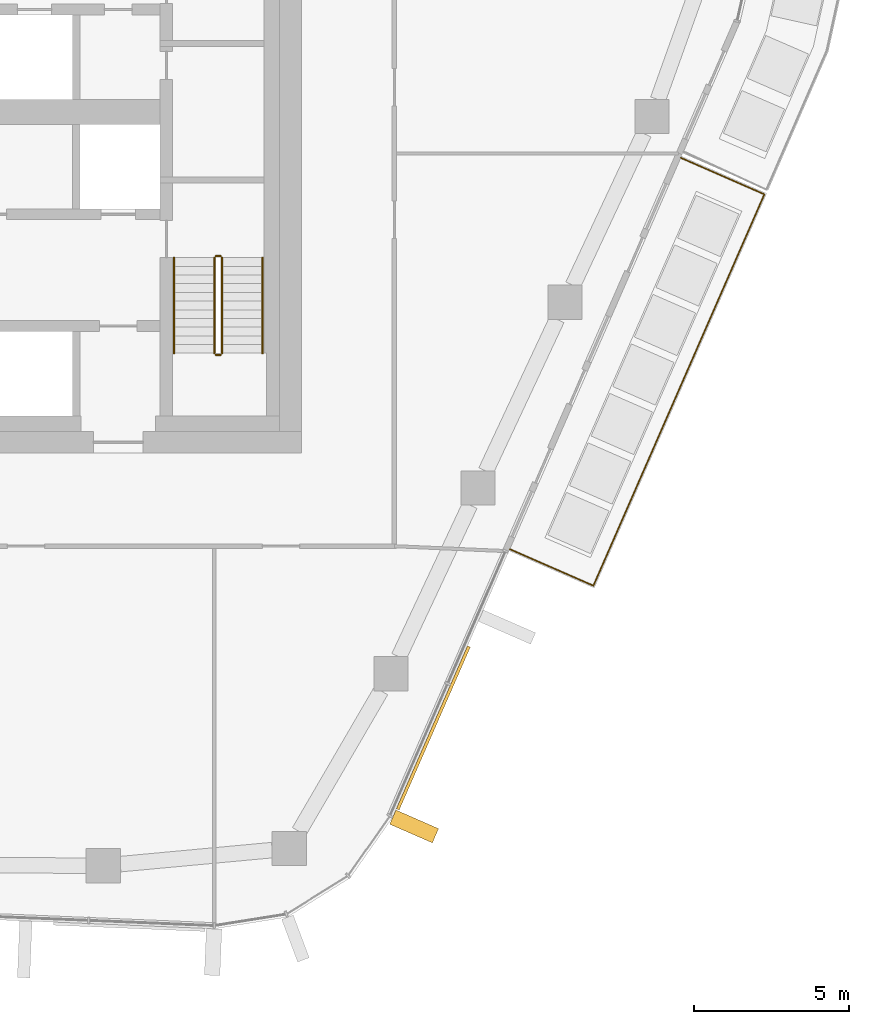
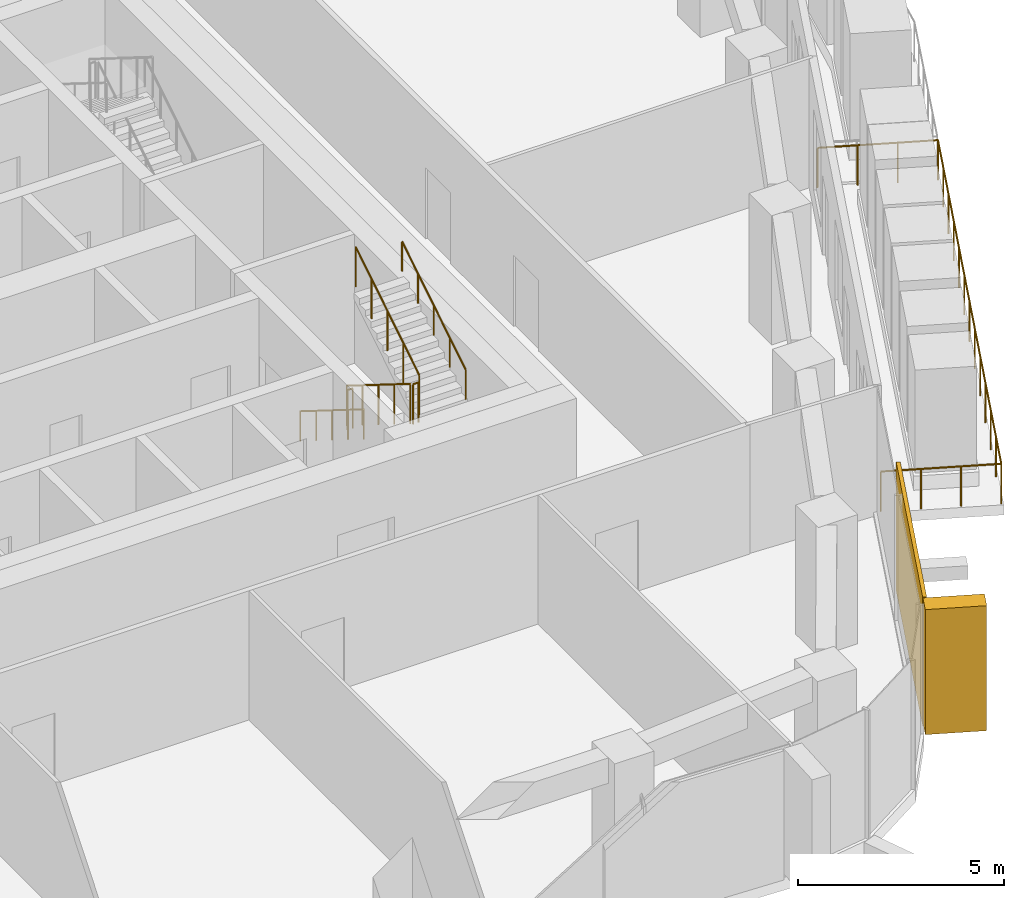
# One storey, part 17 of 20: 7 railings, 2 coverings, 1 element without a shape of its own.
"""IFC4 building model written with IfcOpenShell, lengths in metres."""

from ifc_helpers import new_model, si_unit, direction, frame, origin, origin_2d, place, context, subcontext, project, spatial, rectangle, circle, extrude, material, layer, layer_set, material_profile, profile_set, type_object, element, aggregate, save


model = new_model("IFC4")

# Units and contexts
model_context = context("Model", 3, precision=1e-05, world=origin(), true_north=direction((0.0, 1.0)))
body_context = subcontext(model_context, "Body", "Model", "MODEL_VIEW")
ifc_project = project(units=[si_unit("LENGTHUNIT", "METRE"), si_unit("AREAUNIT", "SQUARE_METRE"), si_unit("VOLUMEUNIT", "CUBIC_METRE"), si_unit("PLANEANGLEUNIT", "RADIAN"), si_unit("MASSUNIT", "GRAM", prefix="KILO")], contexts=[model_context])

# Site, building, storey
site_placement = place(None, origin())
site = spatial("IfcSite", under=ifc_project, at=site_placement, CompositionType="ELEMENT")
building_placement = place(site_placement, origin())
building = spatial("IfcBuilding", under=site, at=building_placement, Name="Dongbaek Canopy Tower", CompositionType="ELEMENT")
storey_placement = place(building_placement, frame((0.0, 0.0, 245.39990234375)))
storey = spatial("IfcBuildingStorey", under=building, at=storey_placement, Name="L51", CompositionType="ELEMENT", Elevation=245.39990234375)

# Railing
ifc_material_1 = material(Name="Stainless steel", Category="steel")
railing_type_1 = type_object("IfcRailingType", Name="Balcony balustrade 1200", PredefinedType="BALUSTRADE", material=ifc_material_1)
railing_1_placement = place(storey_placement, frame((20.7236328125, -14.096923828125, 0.0)))
element("IfcRailing", 1, at=railing_1_placement, inside=storey, type_object=railing_type_1, Name="Balcony guard L51 5", PredefinedType="BALUSTRADE", context=body_context, shape_type="SweptSolid", body=[
    extrude(circle(Radius=0.02392578125, at=origin_2d()), frame((0.0, 0.0, 1.17578125), z_axis=(0.916378260197, -0.400313482458, 0.0), x_axis=(0.400313482458, 0.916378260197, 0.0)), (0.0, 0.0, 1.0), 2.940185546875),
    extrude(circle(Radius=0.02392578125, at=origin_2d()), frame((2.6943359375, -1.177001953125, 1.17578125), z_axis=(0.400292212899, 0.916387551363, 0.0), x_axis=(-0.916387551363, 0.400292212899, 0.0)), (0.0, 0.0, 1.0), 13.766845703125),
    extrude(circle(Radius=0.02392578125, at=origin_2d()), frame((8.205078125, 11.438720703125, 1.17578125), z_axis=(-0.91640871913, 0.40024375011, 0.0), x_axis=(-0.40024375011, -0.91640871913, 0.0)), (0.0, 0.0, 1.0), 2.940185546875),
    extrude(circle(Radius=0.02099609375, at=origin_2d()), origin(), (0.0, 0.0, 1.0), 1.15185546875),
    extrude(circle(Radius=0.02099609375, at=origin_2d()), frame((0.898193359375, -0.392333984375, 0.0)), (0.0, 0.0, 1.0), 1.15185546875),
    extrude(circle(Radius=0.02099609375, at=origin_2d()), frame((1.796142578125, -0.78466796875, 0.0)), (0.0, 0.0, 1.0), 1.15185546875),
    extrude(circle(Radius=0.02099609375, at=origin_2d()), frame((2.6943359375, -1.177001953125, 0.0)), (0.0, 0.0, 1.0), 1.15185546875),
    extrude(circle(Radius=0.02099609375, at=origin_2d()), frame((3.153564453125, -0.125732421875, 0.0)), (0.0, 0.0, 1.0), 1.15185546875),
    extrude(circle(Radius=0.02099609375, at=origin_2d()), frame((3.61279296875, 0.925537109375, 0.0)), (0.0, 0.0, 1.0), 1.15185546875),
    extrude(circle(Radius=0.02099609375, at=origin_2d()), frame((4.072021484375, 1.97705078125, 0.0)), (0.0, 0.0, 1.0), 1.15185546875),
    extrude(circle(Radius=0.02099609375, at=origin_2d()), frame((4.53125, 3.0283203125, 0.0)), (0.0, 0.0, 1.0), 1.15185546875),
    extrude(circle(Radius=0.02099609375, at=origin_2d()), frame((4.990478515625, 4.07958984375, 0.0)), (0.0, 0.0, 1.0), 1.15185546875),
    extrude(circle(Radius=0.02099609375, at=origin_2d()), frame((5.44970703125, 5.130859375, 0.0)), (0.0, 0.0, 1.0), 1.15185546875),
    extrude(circle(Radius=0.02099609375, at=origin_2d()), frame((5.908935546875, 6.18212890625, 0.0)), (0.0, 0.0, 1.0), 1.15185546875),
    extrude(circle(Radius=0.02099609375, at=origin_2d()), frame((6.3681640625, 7.2333984375, 0.0)), (0.0, 0.0, 1.0), 1.15185546875),
    extrude(circle(Radius=0.02099609375, at=origin_2d()), frame((6.827392578125, 8.28466796875, 0.0)), (0.0, 0.0, 1.0), 1.15185546875),
    extrude(circle(Radius=0.02099609375, at=origin_2d()), frame((7.28662109375, 9.336181640625, 0.0)), (0.0, 0.0, 1.0), 1.15185546875),
    extrude(circle(Radius=0.02099609375, at=origin_2d()), frame((7.745849609375, 10.387451171875, 0.0)), (0.0, 0.0, 1.0), 1.15185546875),
    extrude(circle(Radius=0.02099609375, at=origin_2d()), frame((8.205078125, 11.438720703125, 0.0)), (0.0, 0.0, 1.0), 1.15185546875),
    extrude(circle(Radius=0.02099609375, at=origin_2d()), frame((7.306884765625, 11.8310546875, 0.0)), (0.0, 0.0, 1.0), 1.15185546875),
    extrude(circle(Radius=0.02099609375, at=origin_2d()), frame((6.408935546875, 12.22314453125, 0.0)), (0.0, 0.0, 1.0), 1.15185546875),
    extrude(circle(Radius=0.02099609375, at=origin_2d()), frame((5.5107421875, 12.615478515625, 0.0)), (0.0, 0.0, 1.0), 1.15185546875),
])

# Curtain wall, coverings
ifc_material_2 = material(Name="Aluminium 6063-T6 pale anodised", Category="aluminium")
ifc_layer_1 = layer(ifc_material_2, 0.199951171875)
ifc_layer_set_1 = layer_set([ifc_layer_1], Name="CW-1 unitised tower curtain wall")
curtain_wall_type = type_object("IfcCurtainWallType", Name="CW-1 unitised tower curtain wall", PredefinedType="NOTDEFINED", material=ifc_layer_set_1)
curtain_wall_placement = place(storey_placement, origin())
curtain_wall = element("IfcCurtainWall", 2, at=curtain_wall_placement, inside=storey, type_object=curtain_wall_type, Name="CW-1 curtain wall F5.1", PredefinedType="NOTDEFINED")
ifc_material_3 = material(Name="Perforated aluminium 6063-T6 pale metal screen", Category="aluminium")
ifc_layer_2 = layer(ifc_material_3, 0.10009765625)
ifc_layer_set_2 = layer_set([ifc_layer_2], Name="Facet screen FS1 100 pale metal")
covering_type_1 = type_object("IfcCoveringType", Name="Facet screen FS1 100 pale metal", PredefinedType="CLADDING", material=ifc_layer_set_2)
covering_1_placement = place(storey_placement, frame((18.257080078125, -19.858642578125, 0.0), z_axis=(0.0, 0.0, 1.0), x_axis=(0.400294653793, 0.916386485139, 0.0)))
covering_1 = element("IfcCovering", 3, at=covering_1_placement, type_object=covering_type_1, Name="Facet screen L51 F5", PredefinedType="CLADDING", context=body_context, shape_type="SweptSolid", body=[
    extrude(rectangle(XDim=5.734375, YDim=0.10009765625, at=origin_2d()), origin(), (0.0, 0.0, 1.0), 3.820068359375),
])
ifc_material_4 = material(Name="Aluminium 6063-T6 pale metal fin", Category="aluminium")
ifc_material_profile = material_profile(ifc_material_4, rectangle(XDim=1.5, YDim=0.5, at=origin_2d()), Name="Fin FN1 500 x 1500 pale metal")
ifc_profile_set = profile_set([ifc_material_profile], Name="Aluminium 6063-T6 pale metal fin")
covering_type_2 = type_object("IfcCoveringType", Name="Fin FN1 500 x 1500 pale metal", PredefinedType="CLADDING", material=ifc_profile_set)
covering_2_placement = place(storey_placement, frame((17.638427734375, -23.03369140625, 0.1201171875), z_axis=(0.0, 0.0, 1.0), x_axis=(0.9163861515, -0.400295417584, 0.0)))
covering_2 = element("IfcCovering", 4, at=covering_2_placement, type_object=covering_type_2, Name="Fin F5.1.1", PredefinedType="CLADDING", context=body_context, shape_type="SweptSolid", body=[
    extrude(rectangle(XDim=1.5, YDim=0.5, at=origin_2d()), origin(), (0.0, 0.0, 1.0), 3.699951171875),
])
aggregate(curtain_wall, [covering_2, covering_1])

# Railings
ifc_material_5 = material(Name="Stainless steel tube and balusters", Category="steel")
railing_type_2 = type_object("IfcRailingType", Name="Stair guard 1200", PredefinedType="GUARDRAIL", material=ifc_material_5)
railing_2_placement = place(storey_placement, frame((11.199951171875, -4.699951171875, 0.175048828125)))
element("IfcRailing", 5, at=railing_2_placement, inside=storey, type_object=railing_type_2, Name="L51 ST-B stair guard 1", PredefinedType="GUARDRAIL", context=body_context, shape_type="SweptSolid", body=[
    extrude(circle(Radius=0.02392578125, at=origin_2d()), frame((0.0, 0.0, 1.17578125), z_axis=(0.0, -0.847998304005, 0.529998940003), x_axis=(1.0, 0.0, 0.0)), (0.0, 0.0, 1.0), 3.632080078125),
    extrude(circle(Radius=0.02099609375, at=origin_2d()), origin(), (0.0, 0.0, 1.0), 1.15185546875),
    extrude(circle(Radius=0.02099609375, at=origin_2d()), frame((0.0, -0.77001953125, 0.481201171875)), (0.0, 0.0, 1.0), 1.15185546875),
    extrude(circle(Radius=0.02099609375, at=origin_2d()), frame((0.0, -1.5400390625, 0.96240234375)), (0.0, 0.0, 1.0), 1.15185546875),
    extrude(circle(Radius=0.02099609375, at=origin_2d()), frame((0.0, -2.31005859375, 1.44384765625)), (0.0, 0.0, 1.0), 1.15185546875),
    extrude(circle(Radius=0.02099609375, at=origin_2d()), frame((0.0, -3.080078125, 1.925048828125)), (0.0, 0.0, 1.0), 1.15185546875),
])
railing_3_placement = place(storey_placement, frame((11.25, -7.830078125, 2.10009765625)))
element("IfcRailing", 6, at=railing_3_placement, inside=storey, type_object=railing_type_2, Name="L51 ST-B stair guard 2", PredefinedType="GUARDRAIL", context=body_context, shape_type="SweptSolid", body=[
    extrude(circle(Radius=0.02392578125, at=origin_2d()), frame((0.0, 0.0, 1.17578125), z_axis=(1.0, 0.0, 0.0), x_axis=(0.0, 1.0, 0.0)), (0.0, 0.0, 1.0), 0.14990234375),
    extrude(circle(Radius=0.02099609375, at=origin_2d()), origin(), (0.0, 0.0, 1.0), 1.15185546875),
    extrude(circle(Radius=0.02099609375, at=origin_2d()), frame((0.14990234375, 0.0, 0.0)), (0.0, 0.0, 1.0), 1.15185546875),
])
railing_4_placement = place(storey_placement, frame((11.449951171875, -7.780029296875, 2.275146484375)))
element("IfcRailing", 7, at=railing_4_placement, inside=storey, type_object=railing_type_2, Name="L51 ST-B stair guard 3", PredefinedType="GUARDRAIL", context=body_context, shape_type="SweptSolid", body=[
    extrude(circle(Radius=0.02392578125, at=origin_2d()), frame((0.0, 0.0, 1.17578125), z_axis=(0.0, 0.847998304005, 0.529998940003), x_axis=(-1.0, 0.0, 0.0)), (0.0, 0.0, 1.0), 3.632080078125),
    extrude(circle(Radius=0.02099609375, at=origin_2d()), origin(), (0.0, 0.0, 1.0), 1.15185546875),
    extrude(circle(Radius=0.02099609375, at=origin_2d()), frame((0.0, 0.77001953125, 0.481201171875)), (0.0, 0.0, 1.0), 1.15185546875),
    extrude(circle(Radius=0.02099609375, at=origin_2d()), frame((0.0, 1.5400390625, 0.96240234375)), (0.0, 0.0, 1.0), 1.15185546875),
    extrude(circle(Radius=0.02099609375, at=origin_2d()), frame((0.0, 2.31005859375, 1.44384765625)), (0.0, 0.0, 1.0), 1.15185546875),
    extrude(circle(Radius=0.02099609375, at=origin_2d()), frame((0.0, 3.080078125, 1.925048828125)), (0.0, 0.0, 1.0), 1.15185546875),
])
railing_5_placement = place(storey_placement, frame((11.25, -4.64990234375, 0.0)))
element("IfcRailing", 8, at=railing_5_placement, inside=storey, type_object=railing_type_2, Name="L51 ST-B stair guard 4", PredefinedType="GUARDRAIL", context=body_context, shape_type="SweptSolid", body=[
    extrude(circle(Radius=0.02392578125, at=origin_2d()), frame((0.0, 0.0, 1.17578125), z_axis=(1.0, 0.0, 0.0), x_axis=(0.0, 1.0, 0.0)), (0.0, 0.0, 1.0), 0.14990234375),
    extrude(circle(Radius=0.02099609375, at=origin_2d()), origin(), (0.0, 0.0, 1.0), 1.15185546875),
    extrude(circle(Radius=0.02099609375, at=origin_2d()), frame((0.14990234375, 0.0, 0.0)), (0.0, 0.0, 1.0), 1.15185546875),
])
ifc_material_6 = material(Name="Stainless steel tube", Category="steel")
railing_type_3 = type_object("IfcRailingType", Name="Stair handrail 900", PredefinedType="HANDRAIL", material=ifc_material_6)
railing_6_placement = place(storey_placement, frame((9.89990234375, -4.699951171875, 0.175048828125)))
element("IfcRailing", 9, at=railing_6_placement, inside=storey, type_object=railing_type_3, Name="L51 ST-B stair handrail 1", PredefinedType="HANDRAIL", context=body_context, shape_type="SweptSolid", body=[
    extrude(circle(Radius=0.02392578125, at=origin_2d()), frame((0.0, 0.0, 0.8759765625), z_axis=(0.0, -0.847998304005, 0.529998940003), x_axis=(1.0, 0.0, 0.0)), (0.0, 0.0, 1.0), 3.632080078125),
    extrude(circle(Radius=0.02099609375, at=origin_2d()), origin(), (0.0, 0.0, 1.0), 0.851806640625),
    extrude(circle(Radius=0.02099609375, at=origin_2d()), frame((0.0, -0.77001953125, 0.481201171875)), (0.0, 0.0, 1.0), 0.851806640625),
    extrude(circle(Radius=0.02099609375, at=origin_2d()), frame((0.0, -1.5400390625, 0.96240234375)), (0.0, 0.0, 1.0), 0.851806640625),
    extrude(circle(Radius=0.02099609375, at=origin_2d()), frame((0.0, -2.31005859375, 1.44384765625)), (0.0, 0.0, 1.0), 0.851806640625),
    extrude(circle(Radius=0.02099609375, at=origin_2d()), frame((0.0, -3.080078125, 1.925048828125)), (0.0, 0.0, 1.0), 0.851806640625),
])
railing_7_placement = place(storey_placement, frame((12.75, -7.780029296875, 2.275146484375)))
element("IfcRailing", 10, at=railing_7_placement, inside=storey, type_object=railing_type_3, Name="L51 ST-B stair handrail 2", PredefinedType="HANDRAIL", context=body_context, shape_type="SweptSolid", body=[
    extrude(circle(Radius=0.02392578125, at=origin_2d()), frame((0.0, 0.0, 0.8759765625), z_axis=(0.0, 0.847998304005, 0.529998940003), x_axis=(-1.0, 0.0, 0.0)), (0.0, 0.0, 1.0), 3.632080078125),
    extrude(circle(Radius=0.02099609375, at=origin_2d()), origin(), (0.0, 0.0, 1.0), 0.851806640625),
    extrude(circle(Radius=0.02099609375, at=origin_2d()), frame((0.0, 0.77001953125, 0.481201171875)), (0.0, 0.0, 1.0), 0.851806640625),
    extrude(circle(Radius=0.02099609375, at=origin_2d()), frame((0.0, 1.5400390625, 0.96240234375)), (0.0, 0.0, 1.0), 0.851806640625),
    extrude(circle(Radius=0.02099609375, at=origin_2d()), frame((0.0, 2.31005859375, 1.44384765625)), (0.0, 0.0, 1.0), 0.851806640625),
    extrude(circle(Radius=0.02099609375, at=origin_2d()), frame((0.0, 3.080078125, 1.925048828125)), (0.0, 0.0, 1.0), 0.851806640625),
])

save(model, "model.ifc")
